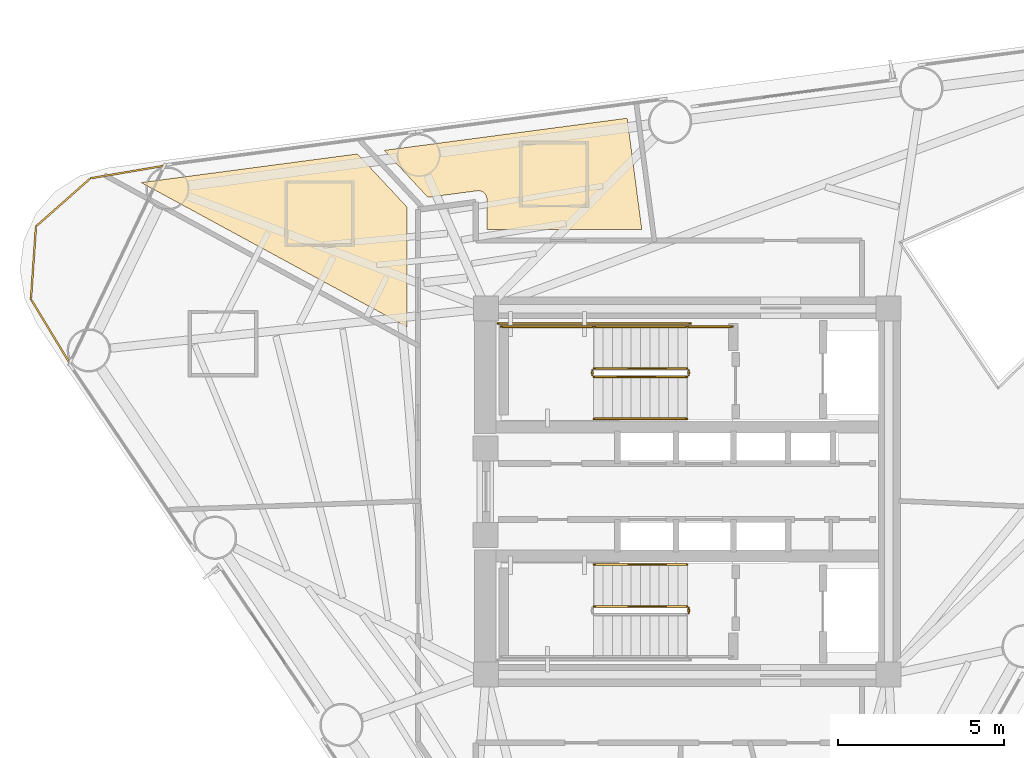
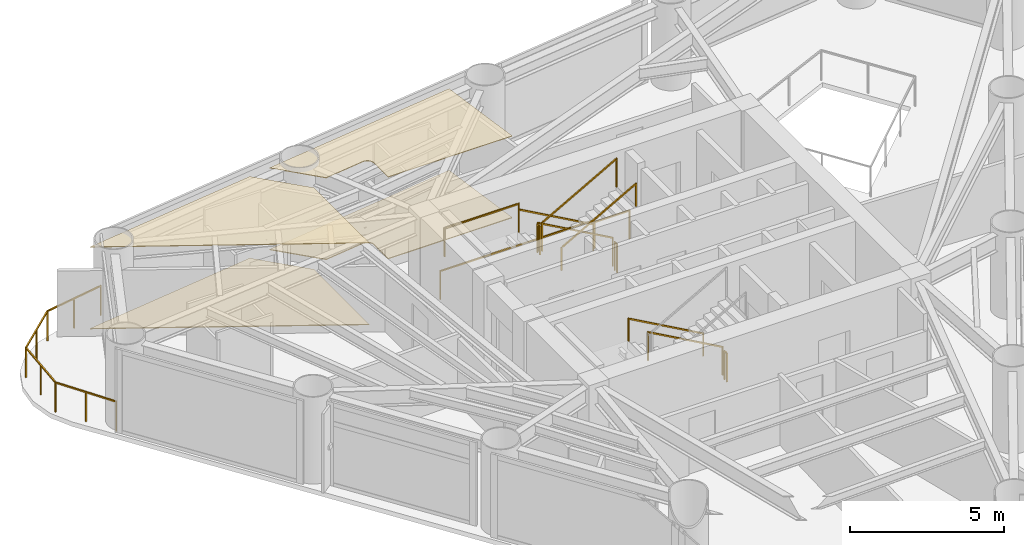
# One storey, part 8 of 9: 13 railings, 4 coverings.
"""IFC4 building model written with IfcOpenShell, lengths in metres."""

from ifc_helpers import new_model, si_unit, direction, frame, origin, origin_2d, place, context, subcontext, project, spatial, polyline, rectangle, outline, extrude, material, layer, layer_set, type_object, element, save


model = new_model("IFC4")

# Units and contexts
model_context = context("Model", 3, precision=1e-05, world=origin(), true_north=direction((0.0, 1.0)))
body_context = subcontext(model_context, "Body", "Model", "MODEL_VIEW")
ifc_project = project(units=[si_unit("LENGTHUNIT", "METRE"), si_unit("AREAUNIT", "SQUARE_METRE"), si_unit("VOLUMEUNIT", "CUBIC_METRE"), si_unit("PLANEANGLEUNIT", "RADIAN"), si_unit("MASSUNIT", "GRAM", prefix="KILO")], contexts=[model_context])

# Site, building, storey
site_placement = place(None, origin())
site = spatial("IfcSite", under=ifc_project, at=site_placement, CompositionType="ELEMENT")
building_placement = place(site_placement, origin())
building = spatial("IfcBuilding", under=site, at=building_placement, Name="Yunling Apex Tower", CompositionType="ELEMENT")
storey_placement = place(building_placement, frame((0.0, 0.0, 169.10009765625)))
storey = spatial("IfcBuildingStorey", under=building, at=storey_placement, Name="L41", CompositionType="ELEMENT", Elevation=169.10009765625)

# Coverings
ifc_material_1 = material(Name="Acoustic mineral fibre ceiling")
ifc_layer_1 = layer(ifc_material_1, 0.02490234375)
ifc_layer_set_1 = layer_set([ifc_layer_1], Name="Acoustic mineral fibre ceiling")
covering_type_1 = type_object("IfcCoveringType", Name="CV-CLG-1", PredefinedType="CEILING", material=ifc_layer_set_1)
covering_1_placement = place(storey_placement, frame((0.0, 0.0, 3.244873046875)))
element("IfcCovering", 1, at=covering_1_placement, inside=storey, type_object=covering_type_1, Name="CV-CL-SP-L41-GR06", PredefinedType="CEILING", context=body_context, shape_type="SweptSolid", body=[
    extrude(outline(polyline([(-1.810791015625, 11.22607421875), (-1.370361328125, 7.8798828125), (-6.030029296875, 7.8798828125), (-6.030029296875, 8.805908203125), (-6.03125, 8.823486328125), (-6.033935546875, 8.84521484375), (-6.041015625, 8.873779296875), (-6.050537109375, 8.8984375), (-6.060302734375, 8.918701171875), (-6.0732421875, 8.939453125), (-6.08740234375, 8.958251953125), (-6.10498046875, 8.977783203125), (-6.125244140625, 8.995361328125), (-6.14501953125, 9.00927734375), (-6.167724609375, 9.0224609375), (-6.188720703125, 9.031494140625), (-6.213134765625, 9.040283203125), (-6.23828125, 9.045166015625), (-6.2626953125, 9.048583984375), (-6.2880859375, 9.048583984375), (-6.3056640625, 9.04736328125), (-7.801025390625, 8.849609375), (-9.115478515625, 10.25927734375), (-1.810791015625, 11.22607421875)])), origin(), (0.0, 0.0, 1.0), 0.025146484375),
])
covering_2_placement = place(storey_placement, frame((0.0, 0.0, 3.244873046875)))
element("IfcCovering", 2, at=covering_2_placement, inside=storey, type_object=covering_type_1, Name="CV-CL-SP-L41-GR07", PredefinedType="CEILING", context=body_context, shape_type="SweptSolid", body=[
    extrude(outline(polyline([(-9.9189453125, 10.15283203125), (-8.4296875, 8.555908203125), (-8.429931640625, 8.551025390625), (-8.429931640625, 4.95263671875), (-16.42236328125, 9.2919921875), (-9.9189453125, 10.15283203125)])), origin(), (0.0, 0.0, 1.0), 0.025146484375),
])
ifc_material_2 = material(Name="Polished granite stone", Category="masonry")
ifc_layer_2 = layer(ifc_material_2, 0.030029296875)
ifc_layer_set_2 = layer_set([ifc_layer_2], Name="Polished granite stone")
covering_type_2 = type_object("IfcCoveringType", Name="CV-FLR-1", PredefinedType="FLOORING", material=ifc_layer_set_2)
covering_3_placement = place(storey_placement, origin())
element("IfcCovering", 3, at=covering_3_placement, inside=storey, type_object=covering_type_2, Name="CV-FL-SP-L41-GR06", PredefinedType="FLOORING", context=body_context, shape_type="SweptSolid", body=[
    extrude(outline(polyline([(-1.810791015625, 11.22607421875), (-1.370361328125, 7.8798828125), (-6.030029296875, 7.8798828125), (-6.030029296875, 8.805908203125), (-6.03125, 8.823486328125), (-6.033935546875, 8.84521484375), (-6.041015625, 8.873779296875), (-6.050537109375, 8.8984375), (-6.060302734375, 8.918701171875), (-6.0732421875, 8.939453125), (-6.08740234375, 8.958251953125), (-6.10498046875, 8.977783203125), (-6.125244140625, 8.995361328125), (-6.14501953125, 9.00927734375), (-6.167724609375, 9.0224609375), (-6.188720703125, 9.031494140625), (-6.213134765625, 9.040283203125), (-6.23828125, 9.045166015625), (-6.2626953125, 9.048583984375), (-6.2880859375, 9.048583984375), (-6.3056640625, 9.04736328125), (-7.801025390625, 8.849609375), (-9.115478515625, 10.25927734375), (-1.810791015625, 11.22607421875)])), origin(), (0.0, 0.0, 1.0), 0.02978515625),
])
covering_4_placement = place(storey_placement, origin())
element("IfcCovering", 4, at=covering_4_placement, inside=storey, type_object=covering_type_2, Name="CV-FL-SP-L41-GR07", PredefinedType="FLOORING", context=body_context, shape_type="SweptSolid", body=[
    extrude(outline(polyline([(-9.9189453125, 10.15283203125), (-8.4296875, 8.555908203125), (-8.429931640625, 8.551025390625), (-8.429931640625, 4.95263671875), (-16.42236328125, 9.2919921875), (-9.9189453125, 10.15283203125)])), origin(), (0.0, 0.0, 1.0), 0.02978515625),
])

# Railings
ifc_material_3 = material(Name="Bronze anodised aluminium", Category="aluminium")
railing_type_1 = type_object("IfcRailingType", Name="RL-BAL-1200", PredefinedType="BALUSTRADE", material=ifc_material_3)
railing_1_placement = place(storey_placement, frame((-18.567138671875, 3.859375, 0.0)))
element("IfcRailing", 5, at=railing_1_placement, inside=storey, type_object=railing_type_1, Name="RL-CRNSILL-L41-2", PredefinedType="BALUSTRADE", context=body_context, shape_type="SweptSolid", body=[
    extrude(rectangle(XDim=0.0439453125, YDim=0.0439453125, at=origin_2d()), origin(), (0.0, 0.0, 1.0), 1.199951171875),
    extrude(rectangle(XDim=0.0439453125, YDim=0.0439453125, at=origin_2d()), frame((-1.1669921875, 1.927001953125, 0.0)), (0.0, 0.0, 1.0), 1.199951171875),
    extrude(rectangle(XDim=0.050048828125, YDim=0.050048828125, at=origin_2d()), frame((-0.019775390625, 0.03271484375, 1.1748046875), z_axis=(-0.518013473605, 0.855372457566, 0.0), x_axis=(-0.855372457566, -0.518013473605, 0.0)), (0.0, 0.0, 1.0), 2.17626953125),
    extrude(rectangle(XDim=0.0439453125, YDim=0.0439453125, at=origin_2d()), frame((-0.58349609375, 0.96337890625, 0.0)), (0.0, 0.0, 1.0), 1.14599609375),
    extrude(rectangle(XDim=0.0439453125, YDim=0.0439453125, at=origin_2d()), frame((-1.015380859375, 4.114501953125, 0.0)), (0.0, 0.0, 1.0), 1.199951171875),
    extrude(rectangle(XDim=0.050048828125, YDim=0.050048828125, at=origin_2d()), frame((-1.164306640625, 1.96533203125, 1.1748046875), z_axis=(0.069142168872, 0.997606816578, 0.0), x_axis=(-0.997606816578, 0.069142168872, 0.0)), (0.0, 0.0, 1.0), 2.115966796875),
    extrude(rectangle(XDim=0.0439453125, YDim=0.0439453125, at=origin_2d()), frame((-1.09130859375, 3.020751953125, 0.0)), (0.0, 0.0, 1.0), 1.14599609375),
    extrude(rectangle(XDim=0.0439453125, YDim=0.0439453125, at=origin_2d()), frame((0.623046875, 5.560791015625, 0.0)), (0.0, 0.0, 1.0), 1.199951171875),
    extrude(rectangle(XDim=0.050048828125, YDim=0.050048828125, at=origin_2d()), frame((-0.986572265625, 4.139892578125, 1.1748046875), z_axis=(0.749697655483, 0.661780496361, 0.0), x_axis=(-0.661780496361, 0.749697655483, 0.0)), (0.0, 0.0, 1.0), 2.10888671875),
    extrude(rectangle(XDim=0.0439453125, YDim=0.0439453125, at=origin_2d()), frame((-0.1962890625, 4.837646484375, 0.0)), (0.0, 0.0, 1.0), 1.14599609375),
    extrude(rectangle(XDim=0.0439453125, YDim=0.0439453125, at=origin_2d()), frame((2.8447265625, 5.93896484375, 0.0)), (0.0, 0.0, 1.0), 1.199951171875),
    extrude(rectangle(XDim=0.050048828125, YDim=0.050048828125, at=origin_2d()), frame((0.660888671875, 5.567138671875, 1.1748046875), z_axis=(0.985820025914, 0.167806068147, 0.0), x_axis=(-0.167806068147, 0.985820025914, 0.0)), (0.0, 0.0, 1.0), 2.177001953125),
    extrude(rectangle(XDim=0.0439453125, YDim=0.0439453125, at=origin_2d()), frame((1.73388671875, 5.75, 0.0)), (0.0, 0.0, 1.0), 1.14599609375),
])
ifc_material_4 = material(Name="Steel Q355B", Category="steel")
railing_type_2 = type_object("IfcRailingType", Name="RL-GRD-1150", PredefinedType="GUARDRAIL", material=ifc_material_4)
railing_2_placement = place(storey_placement, frame((-0.010009765625, 3.699951171875, 0.15673828125)))
element("IfcRailing", 6, at=railing_2_placement, inside=storey, type_object=railing_type_2, Name="L41 ST-1 stair guard 1", PredefinedType="GUARDRAIL", context=body_context, shape_type="SweptSolid", body=[
    extrude(rectangle(XDim=0.0439453125, YDim=0.0439453125, at=origin_2d()), origin(), (0.0, 0.0, 1.0), 1.14990234375),
    extrude(rectangle(XDim=0.0439453125, YDim=0.0439453125, at=origin_2d()), frame((-2.800048828125, 0.0, 1.568115234375)), (0.0, 0.0, 1.0), 1.14990234375),
    extrude(rectangle(XDim=0.050048828125, YDim=0.050048828125, at=origin_2d()), frame((-0.033447265625, 0.0, 1.1435546875), z_axis=(-0.872494340497, 0.0, 0.48862421737), x_axis=(0.0, -1.0, 0.0)), (0.0, 0.0, 1.0), 3.132568359375),
])
railing_3_placement = place(storey_placement, frame((-2.860107421875, 3.64990234375, 1.724853515625)))
element("IfcRailing", 7, at=railing_3_placement, inside=storey, type_object=railing_type_2, Name="L41 ST-1 stair guard 2", PredefinedType="GUARDRAIL", context=body_context, shape_type="SweptSolid", body=[
    extrude(rectangle(XDim=0.0439453125, YDim=0.0439453125, at=origin_2d()), origin(), (0.0, 0.0, 1.0), 1.14990234375),
    extrude(rectangle(XDim=0.0439453125, YDim=0.0439453125, at=origin_2d()), frame((0.0, -0.14990234375, 0.0)), (0.0, 0.0, 1.0), 1.14990234375),
    extrude(rectangle(XDim=0.050048828125, YDim=0.050048828125, at=origin_2d()), frame((0.0, -0.038330078125, 1.125), z_axis=(0.0, -1.0, 0.0), x_axis=(1.0, 0.0, 0.0)), (0.0, 0.0, 1.0), 0.0732421875),
])
railing_4_placement = place(storey_placement, frame((-2.81005859375, 4.9599609375, 1.724853515625)))
element("IfcRailing", 8, at=railing_4_placement, inside=storey, type_object=railing_type_2, Name="L41 ST-1 stair guard 3", PredefinedType="GUARDRAIL", context=body_context, shape_type="SweptSolid", body=[
    extrude(rectangle(XDim=0.0439453125, YDim=0.0439453125, at=origin_2d()), origin(), (0.0, 0.0, 1.0), 1.14990234375),
    extrude(rectangle(XDim=0.0439453125, YDim=0.0439453125, at=origin_2d()), frame((-2.7900390625, 0.0, 0.0)), (0.0, 0.0, 1.0), 1.14990234375),
    extrude(rectangle(XDim=0.050048828125, YDim=0.050048828125, at=origin_2d()), frame((-0.038330078125, 0.0, 1.125), z_axis=(-1.0, 0.0, 0.0), x_axis=(0.0, -1.0, 0.0)), (0.0, 0.0, 1.0), 2.71337890625),
])
railing_5_placement = place(storey_placement, frame((-2.81005859375, 3.449951171875, 1.8818359375)))
element("IfcRailing", 9, at=railing_5_placement, inside=storey, type_object=railing_type_2, Name="L41 ST-1 stair guard 4", PredefinedType="GUARDRAIL", context=body_context, shape_type="SweptSolid", body=[
    extrude(rectangle(XDim=0.0439453125, YDim=0.0439453125, at=origin_2d()), origin(), (0.0, 0.0, 1.0), 1.14990234375),
    extrude(rectangle(XDim=0.0439453125, YDim=0.0439453125, at=origin_2d()), frame((2.800048828125, 0.0, 1.568115234375)), (0.0, 0.0, 1.0), 1.14990234375),
    extrude(rectangle(XDim=0.050048828125, YDim=0.050048828125, at=origin_2d()), frame((0.033447265625, 0.0, 1.1435546875), z_axis=(0.872494340497, 0.0, 0.48862421737), x_axis=(0.0, 1.0, 0.0)), (0.0, 0.0, 1.0), 3.132568359375),
])
railing_6_placement = place(storey_placement, frame((0.0400390625, 3.64990234375, 0.0)))
element("IfcRailing", 10, at=railing_6_placement, inside=storey, type_object=railing_type_2, Name="L41 ST-1 stair guard 5", PredefinedType="GUARDRAIL", context=body_context, shape_type="SweptSolid", body=[
    extrude(rectangle(XDim=0.0439453125, YDim=0.0439453125, at=origin_2d()), origin(), (0.0, 0.0, 1.0), 1.14990234375),
    extrude(rectangle(XDim=0.0439453125, YDim=0.0439453125, at=origin_2d()), frame((0.0, -0.14990234375, 0.0)), (0.0, 0.0, 1.0), 1.14990234375),
    extrude(rectangle(XDim=0.050048828125, YDim=0.050048828125, at=origin_2d()), frame((0.0, -0.038330078125, 1.125), z_axis=(0.0, -1.0, 0.0), x_axis=(1.0, 0.0, 0.0)), (0.0, 0.0, 1.0), 0.0732421875),
])
railing_7_placement = place(storey_placement, frame((1.35009765625, 4.9599609375, 0.0)))
element("IfcRailing", 11, at=railing_7_placement, inside=storey, type_object=railing_type_2, Name="L41 ST-1 stair guard 6", PredefinedType="GUARDRAIL", context=body_context, shape_type="SweptSolid", body=[
    extrude(rectangle(XDim=0.0439453125, YDim=0.0439453125, at=origin_2d()), origin(), (0.0, 0.0, 1.0), 1.14990234375),
    extrude(rectangle(XDim=0.0439453125, YDim=0.0439453125, at=origin_2d()), frame((-1.360107421875, 0.0, 0.0)), (0.0, 0.0, 1.0), 1.14990234375),
    extrude(rectangle(XDim=0.050048828125, YDim=0.050048828125, at=origin_2d()), frame((-0.038330078125, 0.0, 1.125), z_axis=(-1.0, 0.0, 0.0), x_axis=(0.0, -1.0, 0.0)), (0.0, 0.0, 1.0), 1.283447265625),
])
railing_8_placement = place(storey_placement, frame((0.090087890625, 5.06005859375, 0.0)))
element("IfcRailing", 12, at=railing_8_placement, inside=storey, type_object=railing_type_2, Name="L41 ST-1 stair guard 7", PredefinedType="GUARDRAIL", context=body_context, shape_type="SweptSolid", body=[
    extrude(rectangle(XDim=0.0439453125, YDim=0.0439453125, at=origin_2d()), origin(), (0.0, 0.0, 1.0), 1.14990234375),
    extrude(rectangle(XDim=0.0439453125, YDim=0.0439453125, at=origin_2d()), frame((-5.7900390625, 0.0, 0.0)), (0.0, 0.0, 1.0), 1.14990234375),
    extrude(rectangle(XDim=0.050048828125, YDim=0.050048828125, at=origin_2d()), frame((-0.038330078125, 0.0, 1.125), z_axis=(-1.0, 0.0, 0.0), x_axis=(0.0, -1.0, 0.0)), (0.0, 0.0, 1.0), 5.71337890625),
])
railing_9_placement = place(storey_placement, frame((-0.010009765625, -3.449951171875, 0.15673828125)))
element("IfcRailing", 13, at=railing_9_placement, inside=storey, type_object=railing_type_2, Name="L41 ST-2 stair guard 1", PredefinedType="GUARDRAIL", context=body_context, shape_type="SweptSolid", body=[
    extrude(rectangle(XDim=0.0439453125, YDim=0.0439453125, at=origin_2d()), origin(), (0.0, 0.0, 1.0), 1.14990234375),
    extrude(rectangle(XDim=0.0439453125, YDim=0.0439453125, at=origin_2d()), frame((-2.800048828125, 0.0, 1.568115234375)), (0.0, 0.0, 1.0), 1.14990234375),
    extrude(rectangle(XDim=0.050048828125, YDim=0.050048828125, at=origin_2d()), frame((-0.033447265625, 0.0, 1.1435546875), z_axis=(-0.872494340497, 0.0, 0.48862421737), x_axis=(0.0, -1.0, 0.0)), (0.0, 0.0, 1.0), 3.132568359375),
])
railing_10_placement = place(storey_placement, frame((0.0400390625, -3.5, 0.0)))
element("IfcRailing", 14, at=railing_10_placement, inside=storey, type_object=railing_type_2, Name="L41 ST-2 stair guard 5", PredefinedType="GUARDRAIL", context=body_context, shape_type="SweptSolid", body=[
    extrude(rectangle(XDim=0.0439453125, YDim=0.0439453125, at=origin_2d()), origin(), (0.0, 0.0, 1.0), 1.14990234375),
    extrude(rectangle(XDim=0.0439453125, YDim=0.0439453125, at=origin_2d()), frame((0.0, -0.14990234375, 0.0)), (0.0, 0.0, 1.0), 1.14990234375),
    extrude(rectangle(XDim=0.050048828125, YDim=0.050048828125, at=origin_2d()), frame((0.0, -0.038330078125, 1.125), z_axis=(0.0, -1.0, 0.0), x_axis=(1.0, 0.0, 0.0)), (0.0, 0.0, 1.0), 0.0732421875),
])
ifc_material_5 = material(Name="Silver anodised aluminium", Category="aluminium")
railing_type_3 = type_object("IfcRailingType", Name="RL-HND-900", PredefinedType="HANDRAIL", material=ifc_material_5)
railing_11_placement = place(storey_placement, frame((-0.010009765625, 4.9599609375, 0.15673828125)))
element("IfcRailing", 15, at=railing_11_placement, inside=storey, type_object=railing_type_3, Name="L41 ST-1 stair handrail 1", PredefinedType="HANDRAIL", context=body_context, shape_type="SweptSolid", body=[
    extrude(rectangle(XDim=0.0439453125, YDim=0.0439453125, at=origin_2d()), origin(), (0.0, 0.0, 1.0), 0.919921875),
    extrude(rectangle(XDim=0.0439453125, YDim=0.0439453125, at=origin_2d()), frame((-2.800048828125, 0.0, 1.568115234375)), (0.0, 0.0, 1.0), 0.919921875),
    extrude(rectangle(XDim=0.050048828125, YDim=0.050048828125, at=origin_2d()), frame((-0.033447265625, 0.0, 0.91357421875), z_axis=(-0.872494340497, 0.0, 0.48862421737), x_axis=(0.0, -1.0, 0.0)), (0.0, 0.0, 1.0), 3.132568359375),
])
railing_12_placement = place(storey_placement, frame((-2.81005859375, 2.18994140625, 1.8818359375)))
element("IfcRailing", 16, at=railing_12_placement, inside=storey, type_object=railing_type_3, Name="L41 ST-1 stair handrail 2", PredefinedType="HANDRAIL", context=body_context, shape_type="SweptSolid", body=[
    extrude(rectangle(XDim=0.0439453125, YDim=0.0439453125, at=origin_2d()), origin(), (0.0, 0.0, 1.0), 0.919921875),
    extrude(rectangle(XDim=0.0439453125, YDim=0.0439453125, at=origin_2d()), frame((2.800048828125, 0.0, 1.568115234375)), (0.0, 0.0, 1.0), 0.919921875),
    extrude(rectangle(XDim=0.050048828125, YDim=0.050048828125, at=origin_2d()), frame((0.033447265625, 0.0, 0.91357421875), z_axis=(0.872494340497, 0.0, 0.48862421737), x_axis=(0.0, 1.0, 0.0)), (0.0, 0.0, 1.0), 3.132568359375),
])
railing_13_placement = place(storey_placement, frame((-0.010009765625, -2.18994140625, 0.15673828125)))
element("IfcRailing", 17, at=railing_13_placement, inside=storey, type_object=railing_type_3, Name="L41 ST-2 stair handrail 1", PredefinedType="HANDRAIL", context=body_context, shape_type="SweptSolid", body=[
    extrude(rectangle(XDim=0.0439453125, YDim=0.0439453125, at=origin_2d()), origin(), (0.0, 0.0, 1.0), 0.919921875),
    extrude(rectangle(XDim=0.0439453125, YDim=0.0439453125, at=origin_2d()), frame((-2.800048828125, 0.0, 1.568115234375)), (0.0, 0.0, 1.0), 0.919921875),
    extrude(rectangle(XDim=0.050048828125, YDim=0.050048828125, at=origin_2d()), frame((-0.033447265625, 0.0, 0.91357421875), z_axis=(-0.872494340497, 0.0, 0.48862421737), x_axis=(0.0, -1.0, 0.0)), (0.0, 0.0, 1.0), 3.132568359375),
])

save(model, "model.ifc")
